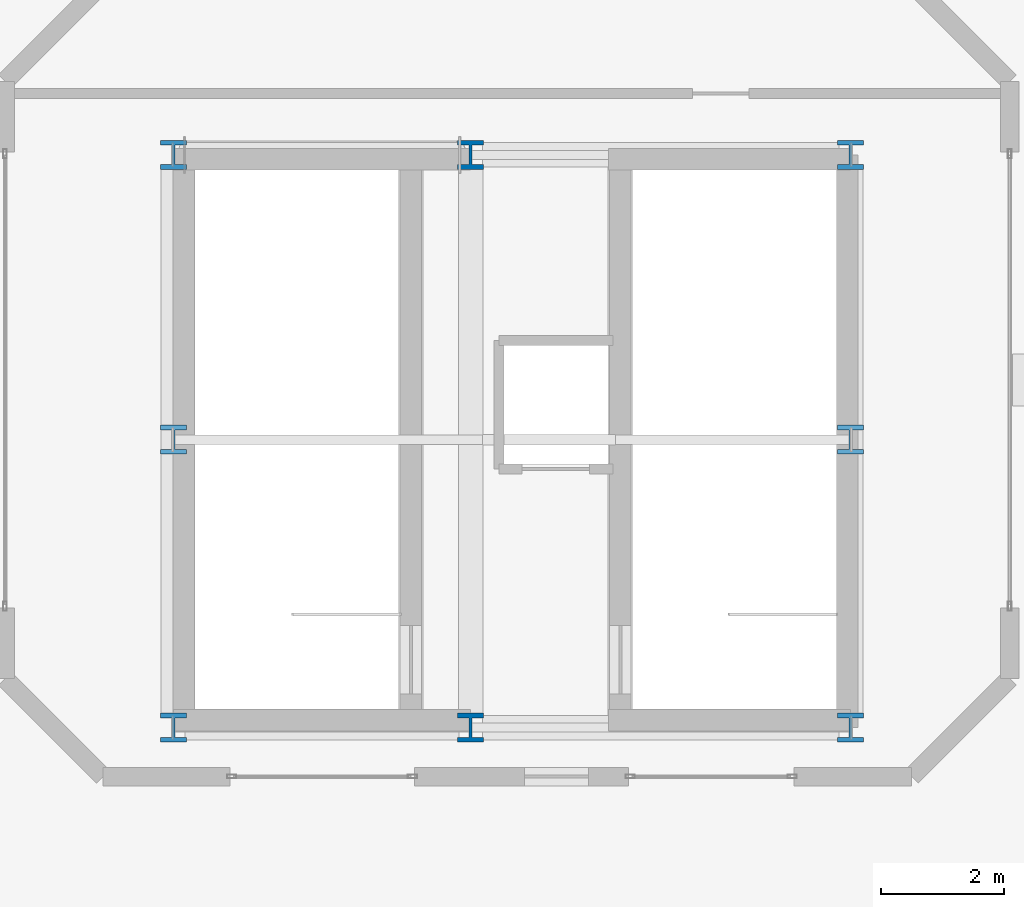
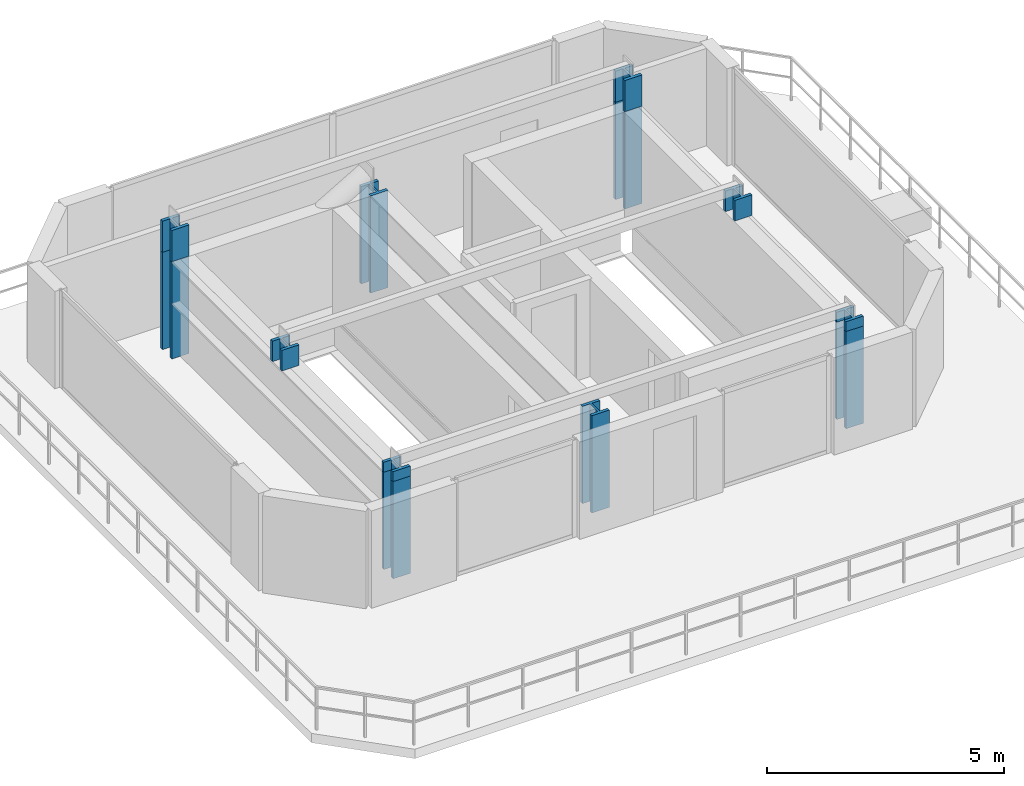
# One storey, part 1 of 9: 12 columns.
"""IFC4 building model written with IfcOpenShell, lengths in metres."""

from ifc_helpers import new_model, si_unit, direction, frame, origin, origin_2d, place, context, subcontext, project, spatial, i_section, extrude, material, material_profile, profile_set, type_object, element, save


model = new_model("IFC4")

# Units and contexts
model_context = context("Model", 3, precision=1e-05, world=origin(), true_north=direction((0.0, 1.0)))
body_context = subcontext(model_context, "Body", "Model", "MODEL_VIEW")
ifc_project = project(units=[si_unit("LENGTHUNIT", "METRE"), si_unit("AREAUNIT", "SQUARE_METRE"), si_unit("VOLUMEUNIT", "CUBIC_METRE"), si_unit("PLANEANGLEUNIT", "RADIAN"), si_unit("MASSUNIT", "GRAM", prefix="KILO")], contexts=[model_context])

# Site, building, storey
site_placement = place(None, origin())
site = spatial("IfcSite", under=ifc_project, at=site_placement, CompositionType="ELEMENT")
building_placement = place(site_placement, origin())
building = spatial("IfcBuilding", under=site, at=building_placement, Name="Zuhayl Quay Hotel", CompositionType="ELEMENT")
storey_placement = place(building_placement, frame((0.0, 0.0, 316.25)))
storey = spatial("IfcBuildingStorey", under=building, at=storey_placement, Name="Crown 6", CompositionType="ELEMENT", Elevation=316.25)

# Columns
ifc_material = material(Name="Steel ASTM A913 Grade 65", Category="steel")
ifc_material_profile = material_profile(ifc_material, i_section(OverallWidth=0.424072265625, OverallDepth=0.47412109375, WebThickness=0.047607421875, FlangeThickness=0.0771484375, at=origin_2d()), Name="W14X426")
ifc_profile_set = profile_set([ifc_material_profile], Name="Steel ASTM A913 Grade 65")
column_type = type_object("IfcColumnType", Name="CL_SC3_W14_426", PredefinedType="COLUMN", material=ifc_profile_set)
for number, where, z_axis, x_axis, name in (
    (1, (-9.449951171875, 25.10009765625, 0.0), (0.0, 0.0, 1.0), (1.0, 0.0, 0.0), "Crown 6 Crown Column CRC_SW"),
    (2, (-4.60009765625, 25.10009765625, 0.0), (0.0, 0.0, 1.0), (1.0, 0.0, 0.0), "Crown 6 Crown Column CRC_SM"),
    (3, (1.60009765625, 25.10009765625, 0.0), (0.0, 0.0, 1.0), (1.0, 0.0, 0.0), "Crown 6 Crown Column CRC_SE"),
    (4, (-9.449951171875, 34.449951171875, 0.0), (0.0, 0.0, 1.0), (1.0, 0.0, 0.0), "Crown 6 Crown Column CRC_NW"),
    (5, (-4.60009765625, 34.449951171875, 0.0), (0.0, 0.0, 1.0), (1.0, 0.0, 0.0), "Crown 6 Crown Column CRC_NM"),
    (6, (1.60009765625, 34.449951171875, 0.0), (0.0, 0.0, 1.0), (1.0, 0.0, 0.0), "Crown 6 Crown Column CRC_NE"),
):
    element("IfcColumn", number, at=place(storey_placement, frame(where, z_axis=z_axis, x_axis=x_axis)), inside=storey, type_object=column_type, Name=name, PredefinedType="COLUMN", context=body_context, shape_type="SweptSolid", body=[
        extrude(i_section(OverallWidth=0.424072265625, OverallDepth=0.47412109375, WebThickness=0.047607421875, FlangeThickness=0.0771484375, at=origin_2d()), origin(), (0.0, 0.0, 1.0), 2.510009765625),
    ])
for number, where, z_axis, x_axis, name in (
    (7, (-9.449951171875, 25.10009765625, 2.510009765625), (0.0, 0.0, 1.0), (1.0, 0.0, 0.0), "Crown 6 Ridge Stub Column 1"),
    (8, (1.60009765625, 25.10009765625, 2.510009765625), (0.0, 0.0, 1.0), (1.0, 0.0, 0.0), "Crown 6 Ridge Stub Column 2"),
):
    element("IfcColumn", number, at=place(storey_placement, frame(where, z_axis=z_axis, x_axis=x_axis)), inside=storey, type_object=column_type, Name=name, PredefinedType="COLUMN", context=body_context, shape_type="SweptSolid", body=[
        extrude(i_section(OverallWidth=0.424072265625, OverallDepth=0.47412109375, WebThickness=0.047607421875, FlangeThickness=0.0771484375, at=origin_2d()), origin(), (0.0, 0.0, 1.0), 0.2548828125),
    ])
for number, where, z_axis, x_axis, name in (
    (9, (-9.449951171875, 29.800048828125, 2.510009765625), (0.0, 0.0, 1.0), (1.0, 0.0, 0.0), "Crown 6 Ridge Stub Column 3"),
    (10, (1.60009765625, 29.800048828125, 2.510009765625), (0.0, 0.0, 1.0), (1.0, 0.0, 0.0), "Crown 6 Ridge Stub Column 4"),
):
    element("IfcColumn", number, at=place(storey_placement, frame(where, z_axis=z_axis, x_axis=x_axis)), inside=storey, type_object=column_type, Name=name, PredefinedType="COLUMN", context=body_context, shape_type="SweptSolid", body=[
        extrude(i_section(OverallWidth=0.424072265625, OverallDepth=0.47412109375, WebThickness=0.047607421875, FlangeThickness=0.0771484375, at=origin_2d()), origin(), (0.0, 0.0, 1.0), 0.531494140625),
    ])
for number, where, z_axis, x_axis, name in (
    (11, (-9.449951171875, 34.449951171875, 2.510009765625), (0.0, 0.0, 1.0), (1.0, 0.0, 0.0), "Crown 6 Ridge Stub Column 5"),
    (12, (1.60009765625, 34.449951171875, 2.510009765625), (0.0, 0.0, 1.0), (1.0, 0.0, 0.0), "Crown 6 Ridge Stub Column 6"),
):
    element("IfcColumn", number, at=place(storey_placement, frame(where, z_axis=z_axis, x_axis=x_axis)), inside=storey, type_object=column_type, Name=name, PredefinedType="COLUMN", context=body_context, shape_type="SweptSolid", body=[
        extrude(i_section(OverallWidth=0.424072265625, OverallDepth=0.47412109375, WebThickness=0.047607421875, FlangeThickness=0.0771484375, at=origin_2d()), origin(), (0.0, 0.0, 1.0), 0.804931640625),
    ])

save(model, "model.ifc")
